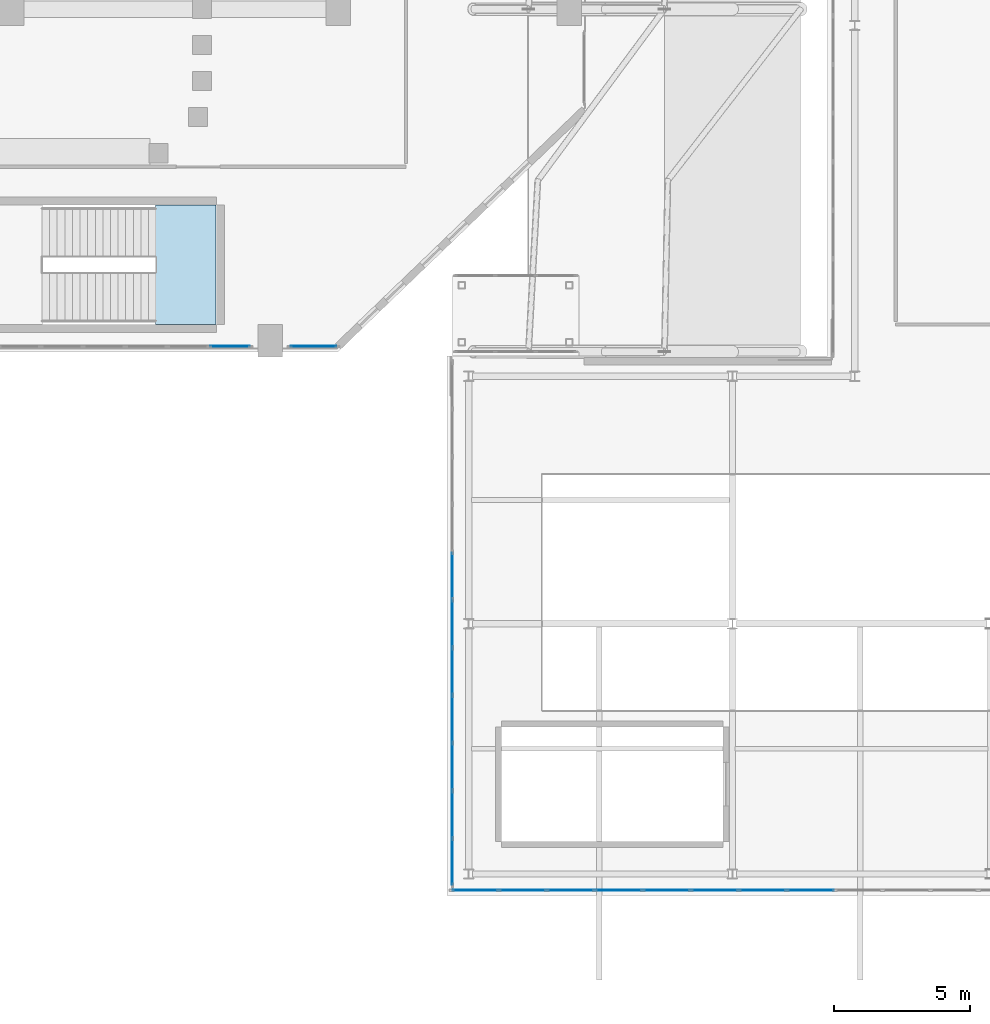
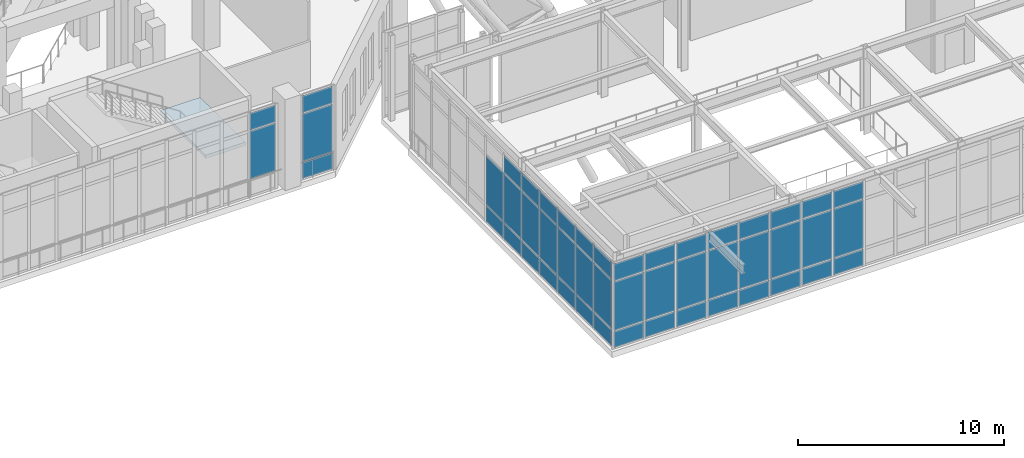
# One storey, part 92 of 159: 49 plates, 1 slab, 5 elements without a shape of their own.
"""IFC4 building model written with IfcOpenShell, lengths in metres."""

from ifc_helpers import new_model, si_unit, derived_unit, direction, frame, origin, origin_2d, place, context, subcontext, project, spatial, polyline, rectangle, outline, extrude, material, layer, layer_set, type_object, element, aggregate, save


model = new_model("IFC4")

# Units and contexts
model_context = context("Model", 3, precision=1e-05, world=origin(), true_north=direction((0.0, 1.0)))
body_context = subcontext(model_context, "Body", "Model", "MODEL_VIEW")
ifc_project = project(units=[si_unit("LENGTHUNIT", "METRE"), si_unit("AREAUNIT", "SQUARE_METRE"), si_unit("VOLUMEUNIT", "CUBIC_METRE"), si_unit("PLANEANGLEUNIT", "RADIAN"), si_unit("MASSUNIT", "GRAM", prefix="KILO"), derived_unit("THERMALTRANSMITTANCEUNIT", [(si_unit("MASSUNIT", "GRAM", prefix="KILO"), 1), (si_unit("TIMEUNIT", "SECOND"), -3), (si_unit("THERMODYNAMICTEMPERATUREUNIT", "KELVIN"), -1)])], contexts=[model_context])

# Site, building, storey
site_placement = place(None, origin())
site = spatial("IfcSite", under=ifc_project, at=site_placement, CompositionType="ELEMENT")
building_placement = place(site_placement, origin())
building = spatial("IfcBuilding", under=site, at=building_placement, Name="Valcora Ridge Arena", CompositionType="ELEMENT")
storey_placement = place(building_placement, frame((0.0, 0.0, 6.0)))
storey = spatial("IfcBuildingStorey", under=building, at=storey_placement, Name="L01", CompositionType="ELEMENT", Elevation=6.0)

# Stair, slab
ifc_material_1 = material(Name="Concrete C40/50", Category="concrete")
stair_type = type_object("IfcStairType", Name="TY-STAIR-ST02-54", PredefinedType="HALF_TURN_STAIR", material=ifc_material_1)
stair_placement = place(storey_placement, origin())
stair = element("IfcStair", 1, at=stair_placement, inside=storey, type_object=stair_type, Name="ST02-54 STR-CR-0009", PredefinedType="HALF_TURN_STAIR")
ifc_layer_1 = layer(ifc_material_1, 0.199951171875, Name="Concrete C40/50")
ifc_layer_set_1 = layer_set([ifc_layer_1], Name="Concrete C40/50")
slab_type = type_object("IfcSlabType", Name="TY-LAND-ST02-54", PredefinedType="LANDING", material=ifc_layer_set_1)
slab_placement = place(storey_placement, frame((0.0, 0.0, 2.5)))
slab = element("IfcSlab", 2, at=slab_placement, type_object=slab_type, Name="ST02-54 landing 1", PredefinedType="LANDING", context=body_context, shape_type="SweptSolid", body=[
    extrude(outline(polyline([(87.2900390625, 21.001953125), (89.51806640625, 21.001953125), (89.51806640625, 25.39794921875), (87.2900390625, 25.39794921875), (87.2900390625, 21.001953125)])), origin(), (0.0, 0.0, 1.0), 0.199951171875),
])
aggregate(stair, [slab])

# Curtain wall, plates
ifc_material_2 = material(Name="Anodised dark bronze architectural aluminium 6063-T6", Category="aluminium")
ifc_layer_2 = layer(ifc_material_2, 0.179931640625, Name="Anodised dark bronze architectural aluminium 6063-T6")
ifc_layer_set_2 = layer_set([ifc_layer_2], Name="Anodised dark bronze architectural aluminium 6063-T6")
curtain_wall_type_1 = type_object("IfcCurtainWallType", Name="TY-CURTAINWALL-CW-V1-GOTH-201X50", PredefinedType="NOTDEFINED", material=ifc_layer_set_2)
curtain_wall_1_placement = place(storey_placement, origin())
curtain_wall_1 = element("IfcCurtainWall", 3, at=curtain_wall_1_placement, inside=storey, type_object=curtain_wall_type_1, Name="CW-V1-GOTH-201X50 CW-0100", PredefinedType="NOTDEFINED")
ifc_material_3 = material(Name="Low-iron solar-control double glazing SHGC 0.28", Category="glass")
ifc_layer_3 = layer(ifc_material_3, 0.031982421875, Name="Low-iron solar-control double glazing SHGC 0.28")
ifc_layer_set_3 = layer_set([ifc_layer_3], Name="Low-iron solar-control double glazing SHGC 0.28")
plate_type_1 = type_object("IfcPlateType", Name="TY-PLT-CWP-1458X1010", PredefinedType="CURTAIN_PANEL", material=ifc_layer_set_3)
plate_1_placement = place(storey_placement, frame((90.02099609375, 20.199951171875, 3.97021484375), z_axis=(0.0, 0.0, 1.0), x_axis=(1.0, 0.0, 0.0)))
plate_1 = element("IfcPlate", 4, at=plate_1_placement, type_object=plate_type_1, Name="CW-0100/P12-02", PredefinedType="CURTAIN_PANEL", context=body_context, shape_type="SweptSolid", body=[
    extrude(rectangle(XDim=1.4580078125, YDim=0.031982421875, at=origin_2d()), origin(), (0.0, 0.0, 1.0), 1.010009765625),
])
ifc_layer_4 = layer(ifc_material_3, 0.031982421875, Name="Low-iron solar-control double glazing SHGC 0.28")
ifc_layer_set_4 = layer_set([ifc_layer_4], Name="Low-iron solar-control double glazing SHGC 0.28")
plate_type_2 = type_object("IfcPlateType", Name="TY-PLT-CWP-1458X2830", PredefinedType="CURTAIN_PANEL", material=ifc_layer_set_4)
plate_2_placement = place(storey_placement, frame((90.02099609375, 20.199951171875, 1.080078125), z_axis=(0.0, 0.0, 1.0), x_axis=(1.0, 0.0, 0.0)))
plate_2 = element("IfcPlate", 5, at=plate_2_placement, type_object=plate_type_2, Name="CW-0100/P12-01", PredefinedType="CURTAIN_PANEL", context=body_context, shape_type="SweptSolid", body=[
    extrude(rectangle(XDim=1.4580078125, YDim=0.031982421875, at=origin_2d()), origin(), (0.0, 0.0, 1.0), 2.830078125),
])
aggregate(curtain_wall_1, [plate_2, plate_1])

ifc_layer_5 = layer(ifc_material_2, 0.179931640625, Name="Anodised dark bronze architectural aluminium 6063-T6")
ifc_layer_set_5 = layer_set([ifc_layer_5], Name="Anodised dark bronze architectural aluminium 6063-T6")
curtain_wall_type_2 = type_object("IfcCurtainWallType", Name="TY-CURTAINWALL-CW-V3-LANCET-193X51", PredefinedType="NOTDEFINED", material=ifc_layer_set_5)
curtain_wall_2_placement = place(storey_placement, origin())
curtain_wall_2 = element("IfcCurtainWall", 6, at=curtain_wall_2_placement, inside=storey, type_object=curtain_wall_type_2, Name="CW-V3-LANCET-193X51 CW-0020", PredefinedType="NOTDEFINED")
ifc_layer_6 = layer(ifc_material_3, 0.031982421875, Name="Low-iron solar-control double glazing SHGC 0.28")
ifc_layer_set_6 = layer_set([ifc_layer_6], Name="Low-iron solar-control double glazing SHGC 0.28")
plate_type_3 = type_object("IfcPlateType", Name="TY-PLT-CWP-1665X0960", PredefinedType="CURTAIN_PANEL", material=ifc_layer_set_6)
plate_3_placement = place(storey_placement, frame((98.199951171875, 1.242431640625, 0.06005859375), z_axis=(0.0, 0.0, 1.0), x_axis=(0.0, 1.0, 0.0)))
plate_3 = element("IfcPlate", 7, at=plate_3_placement, type_object=plate_type_3, Name="CW-0020/P00-00", PredefinedType="CURTAIN_PANEL", context=body_context, shape_type="SweptSolid", body=[
    extrude(rectangle(XDim=1.6650390625, YDim=0.031982421875, at=origin_2d()), origin(), (0.0, 0.0, 1.0), 0.9599609375),
])
ifc_layer_7 = layer(ifc_material_3, 0.031982421875, Name="Low-iron solar-control double glazing SHGC 0.28")
ifc_layer_set_7 = layer_set([ifc_layer_7], Name="Low-iron solar-control double glazing SHGC 0.28")
plate_type_4 = type_object("IfcPlateType", Name="TY-PLT-CWP-1665X1010", PredefinedType="CURTAIN_PANEL", material=ifc_layer_set_7)
plate_4_placement = place(storey_placement, frame((98.199951171875, 1.242431640625, 4.02978515625), z_axis=(0.0, 0.0, 1.0), x_axis=(0.0, 1.0, 0.0)))
plate_4 = element("IfcPlate", 8, at=plate_4_placement, type_object=plate_type_4, Name="CW-0020/P00-02", PredefinedType="CURTAIN_PANEL", context=body_context, shape_type="SweptSolid", body=[
    extrude(rectangle(XDim=1.6650390625, YDim=0.031982421875, at=origin_2d()), origin(), (0.0, 0.0, 1.0), 1.010009765625),
])
ifc_layer_8 = layer(ifc_material_3, 0.031982421875, Name="Low-iron solar-control double glazing SHGC 0.28")
ifc_layer_set_8 = layer_set([ifc_layer_8], Name="Low-iron solar-control double glazing SHGC 0.28")
plate_type_5 = type_object("IfcPlateType", Name="TY-PLT-CWP-1665X2890", PredefinedType="CURTAIN_PANEL", material=ifc_layer_set_8)
plate_5_placement = place(storey_placement, frame((98.199951171875, 1.242431640625, 1.080078125), z_axis=(0.0, 0.0, 1.0), x_axis=(0.0, 1.0, 0.0)))
plate_5 = element("IfcPlate", 9, at=plate_5_placement, type_object=plate_type_5, Name="CW-0020/P00-01", PredefinedType="CURTAIN_PANEL", context=body_context, shape_type="SweptSolid", body=[
    extrude(rectangle(XDim=1.6650390625, YDim=0.031982421875, at=origin_2d()), origin(), (0.0, 0.0, 1.0), 2.889892578125),
])

ifc_layer_9 = layer(ifc_material_2, 0.179931640625, Name="Anodised dark bronze architectural aluminium 6063-T6")
ifc_layer_set_9 = layer_set([ifc_layer_9], Name="Anodised dark bronze architectural aluminium 6063-T6")
curtain_wall_type_3 = type_object("IfcCurtainWallType", Name="TY-CURTAINWALL-CW-V3-LANCET-335X51", PredefinedType="NOTDEFINED", material=ifc_layer_set_9)
curtain_wall_3_placement = place(storey_placement, origin())
curtain_wall_3 = element("IfcCurtainWall", 10, at=curtain_wall_3_placement, inside=storey, type_object=curtain_wall_type_3, Name="CW-V3-LANCET-335X51 CW-0011", PredefinedType="NOTDEFINED")
ifc_layer_10 = layer(ifc_material_3, 0.031982421875, Name="Low-iron solar-control double glazing SHGC 0.28")
ifc_layer_set_10 = layer_set([ifc_layer_10], Name="Low-iron solar-control double glazing SHGC 0.28")
plate_type_6 = type_object("IfcPlateType", Name="TY-PLT-CWP-1673X0960", PredefinedType="CURTAIN_PANEL", material=ifc_layer_set_10)
plate_6_placement = place(storey_placement, frame((99.04638671875, 0.199951171875, 0.06005859375), z_axis=(0.0, 0.0, 1.0), x_axis=(1.0, 0.0, 0.0)))
plate_6 = element("IfcPlate", 11, at=plate_6_placement, type_object=plate_type_6, Name="CW-0011/P00-00", PredefinedType="CURTAIN_PANEL", context=body_context, shape_type="SweptSolid", body=[
    extrude(rectangle(XDim=1.673095703125, YDim=0.031982421875, at=origin_2d()), origin(), (0.0, 0.0, 1.0), 0.9599609375),
])
ifc_layer_11 = layer(ifc_material_3, 0.031982421875, Name="Low-iron solar-control double glazing SHGC 0.28")
ifc_layer_set_11 = layer_set([ifc_layer_11], Name="Low-iron solar-control double glazing SHGC 0.28")
plate_type_7 = type_object("IfcPlateType", Name="TY-PLT-CWP-1673X1010", PredefinedType="CURTAIN_PANEL", material=ifc_layer_set_11)
plate_7_placement = place(storey_placement, frame((99.04638671875, 0.199951171875, 4.02978515625), z_axis=(0.0, 0.0, 1.0), x_axis=(1.0, 0.0, 0.0)))
plate_7 = element("IfcPlate", 12, at=plate_7_placement, type_object=plate_type_7, Name="CW-0011/P00-02", PredefinedType="CURTAIN_PANEL", context=body_context, shape_type="SweptSolid", body=[
    extrude(rectangle(XDim=1.673095703125, YDim=0.031982421875, at=origin_2d()), origin(), (0.0, 0.0, 1.0), 1.010009765625),
])
ifc_layer_12 = layer(ifc_material_3, 0.031982421875, Name="Low-iron solar-control double glazing SHGC 0.28")
ifc_layer_set_12 = layer_set([ifc_layer_12], Name="Low-iron solar-control double glazing SHGC 0.28")
plate_type_8 = type_object("IfcPlateType", Name="TY-PLT-CWP-1673X2890", PredefinedType="CURTAIN_PANEL", material=ifc_layer_set_12)
plate_8_placement = place(storey_placement, frame((99.04638671875, 0.199951171875, 1.080078125), z_axis=(0.0, 0.0, 1.0), x_axis=(1.0, 0.0, 0.0)))
plate_8 = element("IfcPlate", 13, at=plate_8_placement, type_object=plate_type_8, Name="CW-0011/P00-01", PredefinedType="CURTAIN_PANEL", context=body_context, shape_type="SweptSolid", body=[
    extrude(rectangle(XDim=1.673095703125, YDim=0.031982421875, at=origin_2d()), origin(), (0.0, 0.0, 1.0), 2.889892578125),
])

ifc_layer_13 = layer(ifc_material_2, 0.179931640625, Name="Anodised dark bronze architectural aluminium 6063-T6")
ifc_layer_set_13 = layer_set([ifc_layer_13], Name="Anodised dark bronze architectural aluminium 6063-T6")
curtain_wall_type_4 = type_object("IfcCurtainWallType", Name="TY-CURTAINWALL-CW-V1-GOTH-018X50", PredefinedType="NOTDEFINED", material=ifc_layer_set_13)
curtain_wall_4_placement = place(storey_placement, origin())
curtain_wall_4 = element("IfcCurtainWall", 14, at=curtain_wall_4_placement, inside=storey, type_object=curtain_wall_type_4, Name="CW-V1-GOTH-018X50 CW-0101", PredefinedType="NOTDEFINED")
ifc_layer_14 = layer(ifc_material_3, 0.031982421875, Name="Low-iron solar-control double glazing SHGC 0.28")
ifc_layer_set_14 = layer_set([ifc_layer_14], Name="Low-iron solar-control double glazing SHGC 0.28")
plate_type_9 = type_object("IfcPlateType", Name="TY-PLT-CWP-1690X0960", PredefinedType="CURTAIN_PANEL", material=ifc_layer_set_14)
plate_9_placement = place(storey_placement, frame((93.094970703125, 20.199951171875, 0.06005859375), z_axis=(0.0, 0.0, 1.0), x_axis=(1.0, 0.0, 0.0)))
plate_9 = element("IfcPlate", 15, at=plate_9_placement, type_object=plate_type_9, Name="CW-0101/P00-00", PredefinedType="CURTAIN_PANEL", context=body_context, shape_type="SweptSolid", body=[
    extrude(rectangle(XDim=1.68994140625, YDim=0.031982421875, at=origin_2d()), origin(), (0.0, 0.0, 1.0), 0.9599609375),
])
ifc_layer_15 = layer(ifc_material_3, 0.031982421875, Name="Low-iron solar-control double glazing SHGC 0.28")
ifc_layer_set_15 = layer_set([ifc_layer_15], Name="Low-iron solar-control double glazing SHGC 0.28")
plate_type_10 = type_object("IfcPlateType", Name="TY-PLT-CWP-1690X1010", PredefinedType="CURTAIN_PANEL", material=ifc_layer_set_15)
plate_10_placement = place(storey_placement, frame((93.094970703125, 20.199951171875, 3.97021484375), z_axis=(0.0, 0.0, 1.0), x_axis=(1.0, 0.0, 0.0)))
plate_10 = element("IfcPlate", 16, at=plate_10_placement, type_object=plate_type_10, Name="CW-0101/P00-02", PredefinedType="CURTAIN_PANEL", context=body_context, shape_type="SweptSolid", body=[
    extrude(rectangle(XDim=1.68994140625, YDim=0.031982421875, at=origin_2d()), origin(), (0.0, 0.0, 1.0), 1.010009765625),
])
ifc_layer_16 = layer(ifc_material_3, 0.031982421875, Name="Low-iron solar-control double glazing SHGC 0.28")
ifc_layer_set_16 = layer_set([ifc_layer_16], Name="Low-iron solar-control double glazing SHGC 0.28")
plate_type_11 = type_object("IfcPlateType", Name="TY-PLT-CWP-1690X2830", PredefinedType="CURTAIN_PANEL", material=ifc_layer_set_16)
plate_11_placement = place(storey_placement, frame((93.094970703125, 20.199951171875, 1.080078125), z_axis=(0.0, 0.0, 1.0), x_axis=(1.0, 0.0, 0.0)))
plate_11 = element("IfcPlate", 17, at=plate_11_placement, type_object=plate_type_11, Name="CW-0101/P00-01", PredefinedType="CURTAIN_PANEL", context=body_context, shape_type="SweptSolid", body=[
    extrude(rectangle(XDim=1.68994140625, YDim=0.031982421875, at=origin_2d()), origin(), (0.0, 0.0, 1.0), 2.830078125),
])
aggregate(curtain_wall_4, [plate_9, plate_11, plate_10])

# Plate
ifc_layer_17 = layer(ifc_material_3, 0.031982421875, Name="Low-iron solar-control double glazing SHGC 0.28")
ifc_layer_set_17 = layer_set([ifc_layer_17], Name="Low-iron solar-control double glazing SHGC 0.28")
plate_type_12 = type_object("IfcPlateType", Name="TY-PLT-CWP-1694X0960", PredefinedType="CURTAIN_PANEL", material=ifc_layer_set_17)
plate_12_placement = place(storey_placement, frame((98.199951171875, 2.98193359375, 0.06005859375), z_axis=(0.0, 0.0, 1.0), x_axis=(0.0, 1.0, 0.0)))
plate_12 = element("IfcPlate", 18, at=plate_12_placement, type_object=plate_type_12, Name="CW-0020/P01-00", PredefinedType="CURTAIN_PANEL", context=body_context, shape_type="SweptSolid", body=[
    extrude(rectangle(XDim=1.694091796875, YDim=0.031982421875, at=origin_2d()), origin(), (0.0, 0.0, 1.0), 0.9599609375),
])

plate_13_placement = place(storey_placement, frame((98.199951171875, 6.490966796875, 0.06005859375), z_axis=(0.0, 0.0, 1.0), x_axis=(0.0, 1.0, 0.0)))
plate_13 = element("IfcPlate", 19, at=plate_13_placement, type_object=plate_type_12, Name="CW-0020/P03-00", PredefinedType="CURTAIN_PANEL", context=body_context, shape_type="SweptSolid", body=[
    extrude(rectangle(XDim=1.694091796875, YDim=0.031982421875, at=origin_2d()), origin(), (0.0, 0.0, 1.0), 0.9599609375),
])

plate_14_placement = place(storey_placement, frame((98.199951171875, 10.0, 0.06005859375), z_axis=(0.0, 0.0, 1.0), x_axis=(0.0, 1.0, 0.0)))
plate_14 = element("IfcPlate", 20, at=plate_14_placement, type_object=plate_type_12, Name="CW-0020/P05-00", PredefinedType="CURTAIN_PANEL", context=body_context, shape_type="SweptSolid", body=[
    extrude(rectangle(XDim=1.694091796875, YDim=0.031982421875, at=origin_2d()), origin(), (0.0, 0.0, 1.0), 0.9599609375),
])

ifc_layer_18 = layer(ifc_material_3, 0.031982421875, Name="Low-iron solar-control double glazing SHGC 0.28")
ifc_layer_set_18 = layer_set([ifc_layer_18], Name="Low-iron solar-control double glazing SHGC 0.28")
plate_type_13 = type_object("IfcPlateType", Name="TY-PLT-CWP-1694X1010", PredefinedType="CURTAIN_PANEL", material=ifc_layer_set_18)
plate_15_placement = place(storey_placement, frame((98.199951171875, 2.98193359375, 4.02978515625), z_axis=(0.0, 0.0, 1.0), x_axis=(0.0, 1.0, 0.0)))
plate_15 = element("IfcPlate", 21, at=plate_15_placement, type_object=plate_type_13, Name="CW-0020/P01-02", PredefinedType="CURTAIN_PANEL", context=body_context, shape_type="SweptSolid", body=[
    extrude(rectangle(XDim=1.694091796875, YDim=0.031982421875, at=origin_2d()), origin(), (0.0, 0.0, 1.0), 1.010009765625),
])

plate_16_placement = place(storey_placement, frame((98.199951171875, 6.490966796875, 4.02978515625), z_axis=(0.0, 0.0, 1.0), x_axis=(0.0, 1.0, 0.0)))
plate_16 = element("IfcPlate", 22, at=plate_16_placement, type_object=plate_type_13, Name="CW-0020/P03-02", PredefinedType="CURTAIN_PANEL", context=body_context, shape_type="SweptSolid", body=[
    extrude(rectangle(XDim=1.694091796875, YDim=0.031982421875, at=origin_2d()), origin(), (0.0, 0.0, 1.0), 1.010009765625),
])

plate_17_placement = place(storey_placement, frame((98.199951171875, 10.0, 4.02978515625), z_axis=(0.0, 0.0, 1.0), x_axis=(0.0, 1.0, 0.0)))
plate_17 = element("IfcPlate", 23, at=plate_17_placement, type_object=plate_type_13, Name="CW-0020/P05-02", PredefinedType="CURTAIN_PANEL", context=body_context, shape_type="SweptSolid", body=[
    extrude(rectangle(XDim=1.694091796875, YDim=0.031982421875, at=origin_2d()), origin(), (0.0, 0.0, 1.0), 1.010009765625),
])

ifc_layer_19 = layer(ifc_material_3, 0.031982421875, Name="Low-iron solar-control double glazing SHGC 0.28")
ifc_layer_set_19 = layer_set([ifc_layer_19], Name="Low-iron solar-control double glazing SHGC 0.28")
plate_type_14 = type_object("IfcPlateType", Name="TY-PLT-CWP-1694X2890", PredefinedType="CURTAIN_PANEL", material=ifc_layer_set_19)
plate_18_placement = place(storey_placement, frame((98.199951171875, 2.98193359375, 1.080078125), z_axis=(0.0, 0.0, 1.0), x_axis=(0.0, 1.0, 0.0)))
plate_18 = element("IfcPlate", 24, at=plate_18_placement, type_object=plate_type_14, Name="CW-0020/P01-01", PredefinedType="CURTAIN_PANEL", context=body_context, shape_type="SweptSolid", body=[
    extrude(rectangle(XDim=1.694091796875, YDim=0.031982421875, at=origin_2d()), origin(), (0.0, 0.0, 1.0), 2.889892578125),
])

plate_19_placement = place(storey_placement, frame((98.199951171875, 6.490966796875, 1.080078125), z_axis=(0.0, 0.0, 1.0), x_axis=(0.0, 1.0, 0.0)))
plate_19 = element("IfcPlate", 25, at=plate_19_placement, type_object=plate_type_14, Name="CW-0020/P03-01", PredefinedType="CURTAIN_PANEL", context=body_context, shape_type="SweptSolid", body=[
    extrude(rectangle(XDim=1.694091796875, YDim=0.031982421875, at=origin_2d()), origin(), (0.0, 0.0, 1.0), 2.889892578125),
])

plate_20_placement = place(storey_placement, frame((98.199951171875, 10.0, 1.080078125), z_axis=(0.0, 0.0, 1.0), x_axis=(0.0, 1.0, 0.0)))
plate_20 = element("IfcPlate", 26, at=plate_20_placement, type_object=plate_type_14, Name="CW-0020/P05-01", PredefinedType="CURTAIN_PANEL", context=body_context, shape_type="SweptSolid", body=[
    extrude(rectangle(XDim=1.694091796875, YDim=0.031982421875, at=origin_2d()), origin(), (0.0, 0.0, 1.0), 2.889892578125),
])

ifc_layer_20 = layer(ifc_material_3, 0.031982421875, Name="Low-iron solar-control double glazing SHGC 0.28")
ifc_layer_set_20 = layer_set([ifc_layer_20], Name="Low-iron solar-control double glazing SHGC 0.28")
plate_type_15 = type_object("IfcPlateType", Name="TY-PLT-CWP-1695X0960", PredefinedType="CURTAIN_PANEL", material=ifc_layer_set_20)
plate_21_placement = place(storey_placement, frame((98.199951171875, 4.736572265625, 0.06005859375), z_axis=(0.0, 0.0, 1.0), x_axis=(0.0, 1.0, 0.0)))
plate_21 = element("IfcPlate", 27, at=plate_21_placement, type_object=plate_type_15, Name="CW-0020/P02-00", PredefinedType="CURTAIN_PANEL", context=body_context, shape_type="SweptSolid", body=[
    extrude(rectangle(XDim=1.695068359375, YDim=0.031982421875, at=origin_2d()), origin(), (0.0, 0.0, 1.0), 0.9599609375),
])

plate_22_placement = place(storey_placement, frame((98.199951171875, 8.24560546875, 0.06005859375), z_axis=(0.0, 0.0, 1.0), x_axis=(0.0, 1.0, 0.0)))
plate_22 = element("IfcPlate", 28, at=plate_22_placement, type_object=plate_type_15, Name="CW-0020/P04-00", PredefinedType="CURTAIN_PANEL", context=body_context, shape_type="SweptSolid", body=[
    extrude(rectangle(XDim=1.695068359375, YDim=0.031982421875, at=origin_2d()), origin(), (0.0, 0.0, 1.0), 0.9599609375),
])

plate_23_placement = place(storey_placement, frame((98.199951171875, 11.75439453125, 0.06005859375), z_axis=(0.0, 0.0, 1.0), x_axis=(0.0, 1.0, 0.0)))
plate_23 = element("IfcPlate", 29, at=plate_23_placement, type_object=plate_type_15, Name="CW-0020/P06-00", PredefinedType="CURTAIN_PANEL", context=body_context, shape_type="SweptSolid", body=[
    extrude(rectangle(XDim=1.695068359375, YDim=0.031982421875, at=origin_2d()), origin(), (0.0, 0.0, 1.0), 0.9599609375),
])

ifc_layer_21 = layer(ifc_material_3, 0.031982421875, Name="Low-iron solar-control double glazing SHGC 0.28")
ifc_layer_set_21 = layer_set([ifc_layer_21], Name="Low-iron solar-control double glazing SHGC 0.28")
plate_type_16 = type_object("IfcPlateType", Name="TY-PLT-CWP-1695X1010", PredefinedType="CURTAIN_PANEL", material=ifc_layer_set_21)
plate_24_placement = place(storey_placement, frame((98.199951171875, 4.736572265625, 4.02978515625), z_axis=(0.0, 0.0, 1.0), x_axis=(0.0, 1.0, 0.0)))
plate_24 = element("IfcPlate", 30, at=plate_24_placement, type_object=plate_type_16, Name="CW-0020/P02-02", PredefinedType="CURTAIN_PANEL", context=body_context, shape_type="SweptSolid", body=[
    extrude(rectangle(XDim=1.695068359375, YDim=0.031982421875, at=origin_2d()), origin(), (0.0, 0.0, 1.0), 1.010009765625),
])

plate_25_placement = place(storey_placement, frame((98.199951171875, 8.24560546875, 4.02978515625), z_axis=(0.0, 0.0, 1.0), x_axis=(0.0, 1.0, 0.0)))
plate_25 = element("IfcPlate", 31, at=plate_25_placement, type_object=plate_type_16, Name="CW-0020/P04-02", PredefinedType="CURTAIN_PANEL", context=body_context, shape_type="SweptSolid", body=[
    extrude(rectangle(XDim=1.695068359375, YDim=0.031982421875, at=origin_2d()), origin(), (0.0, 0.0, 1.0), 1.010009765625),
])

ifc_layer_22 = layer(ifc_material_3, 0.031982421875, Name="Low-iron solar-control double glazing SHGC 0.28")
ifc_layer_set_22 = layer_set([ifc_layer_22], Name="Low-iron solar-control double glazing SHGC 0.28")
plate_type_17 = type_object("IfcPlateType", Name="TY-PLT-CWP-1695X2890", PredefinedType="CURTAIN_PANEL", material=ifc_layer_set_22)
plate_26_placement = place(storey_placement, frame((98.199951171875, 4.736572265625, 1.080078125), z_axis=(0.0, 0.0, 1.0), x_axis=(0.0, 1.0, 0.0)))
plate_26 = element("IfcPlate", 32, at=plate_26_placement, type_object=plate_type_17, Name="CW-0020/P02-01", PredefinedType="CURTAIN_PANEL", context=body_context, shape_type="SweptSolid", body=[
    extrude(rectangle(XDim=1.695068359375, YDim=0.031982421875, at=origin_2d()), origin(), (0.0, 0.0, 1.0), 2.889892578125),
])

plate_27_placement = place(storey_placement, frame((98.199951171875, 8.24560546875, 1.080078125), z_axis=(0.0, 0.0, 1.0), x_axis=(0.0, 1.0, 0.0)))
plate_27 = element("IfcPlate", 33, at=plate_27_placement, type_object=plate_type_17, Name="CW-0020/P04-01", PredefinedType="CURTAIN_PANEL", context=body_context, shape_type="SweptSolid", body=[
    extrude(rectangle(XDim=1.695068359375, YDim=0.031982421875, at=origin_2d()), origin(), (0.0, 0.0, 1.0), 2.889892578125),
])

plate_28_placement = place(storey_placement, frame((98.199951171875, 11.75439453125, 1.080078125), z_axis=(0.0, 0.0, 1.0), x_axis=(0.0, 1.0, 0.0)))
plate_28 = element("IfcPlate", 34, at=plate_28_placement, type_object=plate_type_17, Name="CW-0020/P06-01", PredefinedType="CURTAIN_PANEL", context=body_context, shape_type="SweptSolid", body=[
    extrude(rectangle(XDim=1.695068359375, YDim=0.031982421875, at=origin_2d()), origin(), (0.0, 0.0, 1.0), 2.889892578125),
])

aggregate(curtain_wall_2, [plate_3, plate_5, plate_4, plate_12, plate_18, plate_15, plate_21, plate_26, plate_24, plate_13, plate_19, plate_16, plate_22, plate_27, plate_25, plate_14, plate_20, plate_17, plate_23, plate_28])

ifc_layer_23 = layer(ifc_material_3, 0.031982421875, Name="Low-iron solar-control double glazing SHGC 0.28")
ifc_layer_set_23 = layer_set([ifc_layer_23], Name="Low-iron solar-control double glazing SHGC 0.28")
plate_type_18 = type_object("IfcPlateType", Name="TY-PLT-CWP-1703X0960", PredefinedType="CURTAIN_PANEL", material=ifc_layer_set_23)
plate_29_placement = place(storey_placement, frame((100.79443359375, 0.199951171875, 0.06005859375), z_axis=(0.0, 0.0, 1.0), x_axis=(1.0, 0.0, 0.0)))
plate_29 = element("IfcPlate", 35, at=plate_29_placement, type_object=plate_type_18, Name="CW-0011/P01-00", PredefinedType="CURTAIN_PANEL", context=body_context, shape_type="SweptSolid", body=[
    extrude(rectangle(XDim=1.702880859375, YDim=0.031982421875, at=origin_2d()), origin(), (0.0, 0.0, 1.0), 0.9599609375),
])

plate_30_placement = place(storey_placement, frame((102.5576171875, 0.199951171875, 0.06005859375), z_axis=(0.0, 0.0, 1.0), x_axis=(1.0, 0.0, 0.0)))
plate_30 = element("IfcPlate", 36, at=plate_30_placement, type_object=plate_type_18, Name="CW-0011/P02-00", PredefinedType="CURTAIN_PANEL", context=body_context, shape_type="SweptSolid", body=[
    extrude(rectangle(XDim=1.702880859375, YDim=0.031982421875, at=origin_2d()), origin(), (0.0, 0.0, 1.0), 0.9599609375),
])

plate_31_placement = place(storey_placement, frame((106.08447265625, 0.199951171875, 0.06005859375), z_axis=(0.0, 0.0, 1.0), x_axis=(1.0, 0.0, 0.0)))
plate_31 = element("IfcPlate", 37, at=plate_31_placement, type_object=plate_type_18, Name="CW-0011/P04-00", PredefinedType="CURTAIN_PANEL", context=body_context, shape_type="SweptSolid", body=[
    extrude(rectangle(XDim=1.702880859375, YDim=0.031982421875, at=origin_2d()), origin(), (0.0, 0.0, 1.0), 0.9599609375),
])

plate_32_placement = place(storey_placement, frame((107.847412109375, 0.199951171875, 0.06005859375), z_axis=(0.0, 0.0, 1.0), x_axis=(1.0, 0.0, 0.0)))
plate_32 = element("IfcPlate", 38, at=plate_32_placement, type_object=plate_type_18, Name="CW-0011/P05-00", PredefinedType="CURTAIN_PANEL", context=body_context, shape_type="SweptSolid", body=[
    extrude(rectangle(XDim=1.702880859375, YDim=0.031982421875, at=origin_2d()), origin(), (0.0, 0.0, 1.0), 0.9599609375),
])

plate_33_placement = place(storey_placement, frame((109.610595703125, 0.199951171875, 0.06005859375), z_axis=(0.0, 0.0, 1.0), x_axis=(1.0, 0.0, 0.0)))
plate_33 = element("IfcPlate", 39, at=plate_33_placement, type_object=plate_type_18, Name="CW-0011/P06-00", PredefinedType="CURTAIN_PANEL", context=body_context, shape_type="SweptSolid", body=[
    extrude(rectangle(XDim=1.702880859375, YDim=0.031982421875, at=origin_2d()), origin(), (0.0, 0.0, 1.0), 0.9599609375),
])

plate_34_placement = place(storey_placement, frame((111.37353515625, 0.199951171875, 0.06005859375), z_axis=(0.0, 0.0, 1.0), x_axis=(1.0, 0.0, 0.0)))
plate_34 = element("IfcPlate", 40, at=plate_34_placement, type_object=plate_type_18, Name="CW-0011/P07-00", PredefinedType="CURTAIN_PANEL", context=body_context, shape_type="SweptSolid", body=[
    extrude(rectangle(XDim=1.702880859375, YDim=0.031982421875, at=origin_2d()), origin(), (0.0, 0.0, 1.0), 0.9599609375),
])

ifc_layer_24 = layer(ifc_material_3, 0.031982421875, Name="Low-iron solar-control double glazing SHGC 0.28")
ifc_layer_set_24 = layer_set([ifc_layer_24], Name="Low-iron solar-control double glazing SHGC 0.28")
plate_type_19 = type_object("IfcPlateType", Name="TY-PLT-CWP-1703X1010", PredefinedType="CURTAIN_PANEL", material=ifc_layer_set_24)
plate_35_placement = place(storey_placement, frame((100.79443359375, 0.199951171875, 4.02978515625), z_axis=(0.0, 0.0, 1.0), x_axis=(1.0, 0.0, 0.0)))
plate_35 = element("IfcPlate", 41, at=plate_35_placement, type_object=plate_type_19, Name="CW-0011/P01-02", PredefinedType="CURTAIN_PANEL", context=body_context, shape_type="SweptSolid", body=[
    extrude(rectangle(XDim=1.702880859375, YDim=0.031982421875, at=origin_2d()), origin(), (0.0, 0.0, 1.0), 1.010009765625),
])

plate_36_placement = place(storey_placement, frame((102.5576171875, 0.199951171875, 4.02978515625), z_axis=(0.0, 0.0, 1.0), x_axis=(1.0, 0.0, 0.0)))
plate_36 = element("IfcPlate", 42, at=plate_36_placement, type_object=plate_type_19, Name="CW-0011/P02-02", PredefinedType="CURTAIN_PANEL", context=body_context, shape_type="SweptSolid", body=[
    extrude(rectangle(XDim=1.702880859375, YDim=0.031982421875, at=origin_2d()), origin(), (0.0, 0.0, 1.0), 1.010009765625),
])

plate_37_placement = place(storey_placement, frame((106.08447265625, 0.199951171875, 4.02978515625), z_axis=(0.0, 0.0, 1.0), x_axis=(1.0, 0.0, 0.0)))
plate_37 = element("IfcPlate", 43, at=plate_37_placement, type_object=plate_type_19, Name="CW-0011/P04-02", PredefinedType="CURTAIN_PANEL", context=body_context, shape_type="SweptSolid", body=[
    extrude(rectangle(XDim=1.702880859375, YDim=0.031982421875, at=origin_2d()), origin(), (0.0, 0.0, 1.0), 1.010009765625),
])

plate_38_placement = place(storey_placement, frame((107.847412109375, 0.199951171875, 4.02978515625), z_axis=(0.0, 0.0, 1.0), x_axis=(1.0, 0.0, 0.0)))
plate_38 = element("IfcPlate", 44, at=plate_38_placement, type_object=plate_type_19, Name="CW-0011/P05-02", PredefinedType="CURTAIN_PANEL", context=body_context, shape_type="SweptSolid", body=[
    extrude(rectangle(XDim=1.702880859375, YDim=0.031982421875, at=origin_2d()), origin(), (0.0, 0.0, 1.0), 1.010009765625),
])

plate_39_placement = place(storey_placement, frame((109.610595703125, 0.199951171875, 4.02978515625), z_axis=(0.0, 0.0, 1.0), x_axis=(1.0, 0.0, 0.0)))
plate_39 = element("IfcPlate", 45, at=plate_39_placement, type_object=plate_type_19, Name="CW-0011/P06-02", PredefinedType="CURTAIN_PANEL", context=body_context, shape_type="SweptSolid", body=[
    extrude(rectangle(XDim=1.702880859375, YDim=0.031982421875, at=origin_2d()), origin(), (0.0, 0.0, 1.0), 1.010009765625),
])

plate_40_placement = place(storey_placement, frame((111.37353515625, 0.199951171875, 4.02978515625), z_axis=(0.0, 0.0, 1.0), x_axis=(1.0, 0.0, 0.0)))
plate_40 = element("IfcPlate", 46, at=plate_40_placement, type_object=plate_type_19, Name="CW-0011/P07-02", PredefinedType="CURTAIN_PANEL", context=body_context, shape_type="SweptSolid", body=[
    extrude(rectangle(XDim=1.702880859375, YDim=0.031982421875, at=origin_2d()), origin(), (0.0, 0.0, 1.0), 1.010009765625),
])

ifc_layer_25 = layer(ifc_material_3, 0.031982421875, Name="Low-iron solar-control double glazing SHGC 0.28")
ifc_layer_set_25 = layer_set([ifc_layer_25], Name="Low-iron solar-control double glazing SHGC 0.28")
plate_type_20 = type_object("IfcPlateType", Name="TY-PLT-CWP-1703X2890", PredefinedType="CURTAIN_PANEL", material=ifc_layer_set_25)
plate_41_placement = place(storey_placement, frame((100.79443359375, 0.199951171875, 1.080078125), z_axis=(0.0, 0.0, 1.0), x_axis=(1.0, 0.0, 0.0)))
plate_41 = element("IfcPlate", 47, at=plate_41_placement, type_object=plate_type_20, Name="CW-0011/P01-01", PredefinedType="CURTAIN_PANEL", context=body_context, shape_type="SweptSolid", body=[
    extrude(rectangle(XDim=1.702880859375, YDim=0.031982421875, at=origin_2d()), origin(), (0.0, 0.0, 1.0), 2.889892578125),
])

plate_42_placement = place(storey_placement, frame((102.5576171875, 0.199951171875, 1.080078125), z_axis=(0.0, 0.0, 1.0), x_axis=(1.0, 0.0, 0.0)))
plate_42 = element("IfcPlate", 48, at=plate_42_placement, type_object=plate_type_20, Name="CW-0011/P02-01", PredefinedType="CURTAIN_PANEL", context=body_context, shape_type="SweptSolid", body=[
    extrude(rectangle(XDim=1.702880859375, YDim=0.031982421875, at=origin_2d()), origin(), (0.0, 0.0, 1.0), 2.889892578125),
])

plate_43_placement = place(storey_placement, frame((106.08447265625, 0.199951171875, 1.080078125), z_axis=(0.0, 0.0, 1.0), x_axis=(1.0, 0.0, 0.0)))
plate_43 = element("IfcPlate", 49, at=plate_43_placement, type_object=plate_type_20, Name="CW-0011/P04-01", PredefinedType="CURTAIN_PANEL", context=body_context, shape_type="SweptSolid", body=[
    extrude(rectangle(XDim=1.702880859375, YDim=0.031982421875, at=origin_2d()), origin(), (0.0, 0.0, 1.0), 2.889892578125),
])

plate_44_placement = place(storey_placement, frame((107.847412109375, 0.199951171875, 1.080078125), z_axis=(0.0, 0.0, 1.0), x_axis=(1.0, 0.0, 0.0)))
plate_44 = element("IfcPlate", 50, at=plate_44_placement, type_object=plate_type_20, Name="CW-0011/P05-01", PredefinedType="CURTAIN_PANEL", context=body_context, shape_type="SweptSolid", body=[
    extrude(rectangle(XDim=1.702880859375, YDim=0.031982421875, at=origin_2d()), origin(), (0.0, 0.0, 1.0), 2.889892578125),
])

plate_45_placement = place(storey_placement, frame((109.610595703125, 0.199951171875, 1.080078125), z_axis=(0.0, 0.0, 1.0), x_axis=(1.0, 0.0, 0.0)))
plate_45 = element("IfcPlate", 51, at=plate_45_placement, type_object=plate_type_20, Name="CW-0011/P06-01", PredefinedType="CURTAIN_PANEL", context=body_context, shape_type="SweptSolid", body=[
    extrude(rectangle(XDim=1.702880859375, YDim=0.031982421875, at=origin_2d()), origin(), (0.0, 0.0, 1.0), 2.889892578125),
])

plate_46_placement = place(storey_placement, frame((111.37353515625, 0.199951171875, 1.080078125), z_axis=(0.0, 0.0, 1.0), x_axis=(1.0, 0.0, 0.0)))
plate_46 = element("IfcPlate", 52, at=plate_46_placement, type_object=plate_type_20, Name="CW-0011/P07-01", PredefinedType="CURTAIN_PANEL", context=body_context, shape_type="SweptSolid", body=[
    extrude(rectangle(XDim=1.702880859375, YDim=0.031982421875, at=origin_2d()), origin(), (0.0, 0.0, 1.0), 2.889892578125),
])

ifc_layer_26 = layer(ifc_material_3, 0.031982421875, Name="Low-iron solar-control double glazing SHGC 0.28")
ifc_layer_set_26 = layer_set([ifc_layer_26], Name="Low-iron solar-control double glazing SHGC 0.28")
plate_type_21 = type_object("IfcPlateType", Name="TY-PLT-CWP-1704X0960", PredefinedType="CURTAIN_PANEL", material=ifc_layer_set_26)
plate_47_placement = place(storey_placement, frame((104.321044921875, 0.199951171875, 0.06005859375), z_axis=(0.0, 0.0, 1.0), x_axis=(1.0, 0.0, 0.0)))
plate_47 = element("IfcPlate", 53, at=plate_47_placement, type_object=plate_type_21, Name="CW-0011/P03-00", PredefinedType="CURTAIN_PANEL", context=body_context, shape_type="SweptSolid", body=[
    extrude(rectangle(XDim=1.7041015625, YDim=0.031982421875, at=origin_2d()), origin(), (0.0, 0.0, 1.0), 0.9599609375),
])

ifc_layer_27 = layer(ifc_material_3, 0.031982421875, Name="Low-iron solar-control double glazing SHGC 0.28")
ifc_layer_set_27 = layer_set([ifc_layer_27], Name="Low-iron solar-control double glazing SHGC 0.28")
plate_type_22 = type_object("IfcPlateType", Name="TY-PLT-CWP-1704X1010", PredefinedType="CURTAIN_PANEL", material=ifc_layer_set_27)
plate_48_placement = place(storey_placement, frame((104.321044921875, 0.199951171875, 4.02978515625), z_axis=(0.0, 0.0, 1.0), x_axis=(1.0, 0.0, 0.0)))
plate_48 = element("IfcPlate", 54, at=plate_48_placement, type_object=plate_type_22, Name="CW-0011/P03-02", PredefinedType="CURTAIN_PANEL", context=body_context, shape_type="SweptSolid", body=[
    extrude(rectangle(XDim=1.7041015625, YDim=0.031982421875, at=origin_2d()), origin(), (0.0, 0.0, 1.0), 1.010009765625),
])

ifc_layer_28 = layer(ifc_material_3, 0.031982421875, Name="Low-iron solar-control double glazing SHGC 0.28")
ifc_layer_set_28 = layer_set([ifc_layer_28], Name="Low-iron solar-control double glazing SHGC 0.28")
plate_type_23 = type_object("IfcPlateType", Name="TY-PLT-CWP-1704X2890", PredefinedType="CURTAIN_PANEL", material=ifc_layer_set_28)
plate_49_placement = place(storey_placement, frame((104.321044921875, 0.199951171875, 1.080078125), z_axis=(0.0, 0.0, 1.0), x_axis=(1.0, 0.0, 0.0)))
plate_49 = element("IfcPlate", 55, at=plate_49_placement, type_object=plate_type_23, Name="CW-0011/P03-01", PredefinedType="CURTAIN_PANEL", context=body_context, shape_type="SweptSolid", body=[
    extrude(rectangle(XDim=1.7041015625, YDim=0.031982421875, at=origin_2d()), origin(), (0.0, 0.0, 1.0), 2.889892578125),
])

aggregate(curtain_wall_3, [plate_6, plate_8, plate_7, plate_29, plate_41, plate_35, plate_30, plate_42, plate_36, plate_47, plate_49, plate_48, plate_31, plate_43, plate_37, plate_32, plate_44, plate_38, plate_33, plate_45, plate_39, plate_34, plate_46, plate_40])

save(model, "model.ifc")
